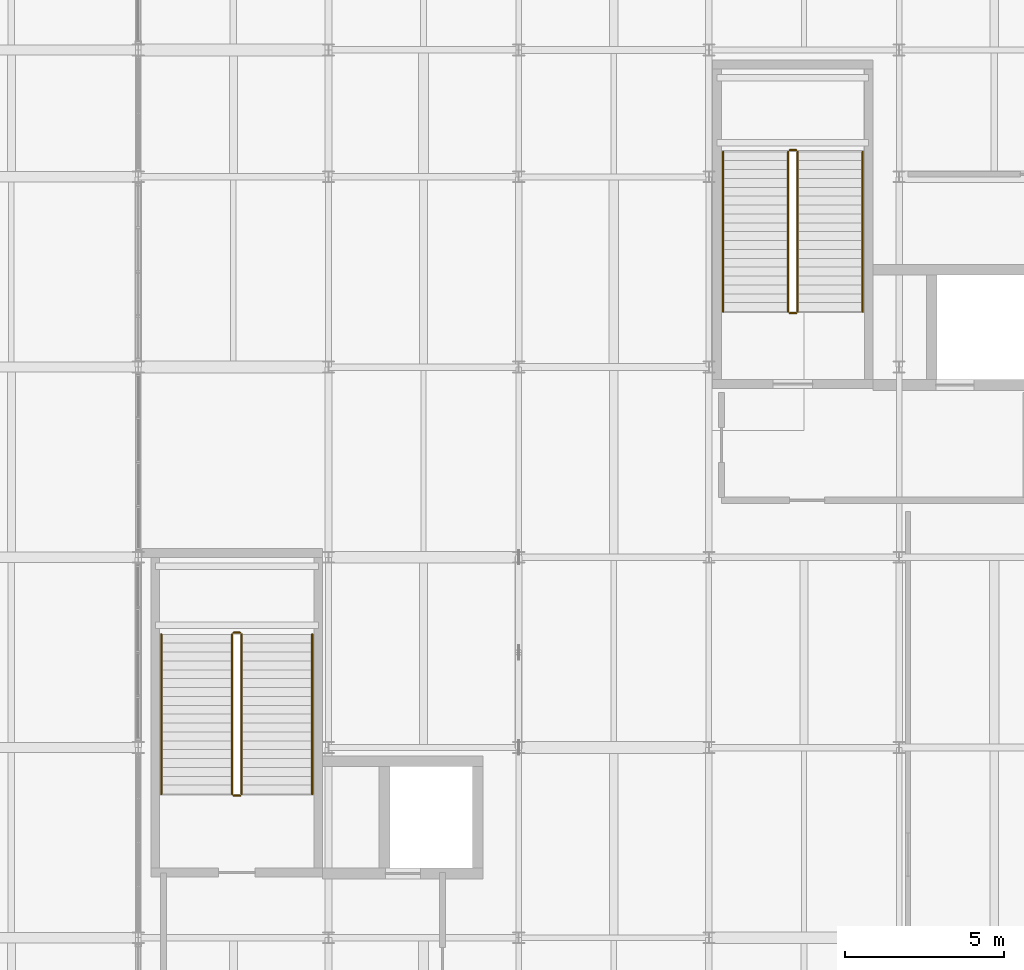
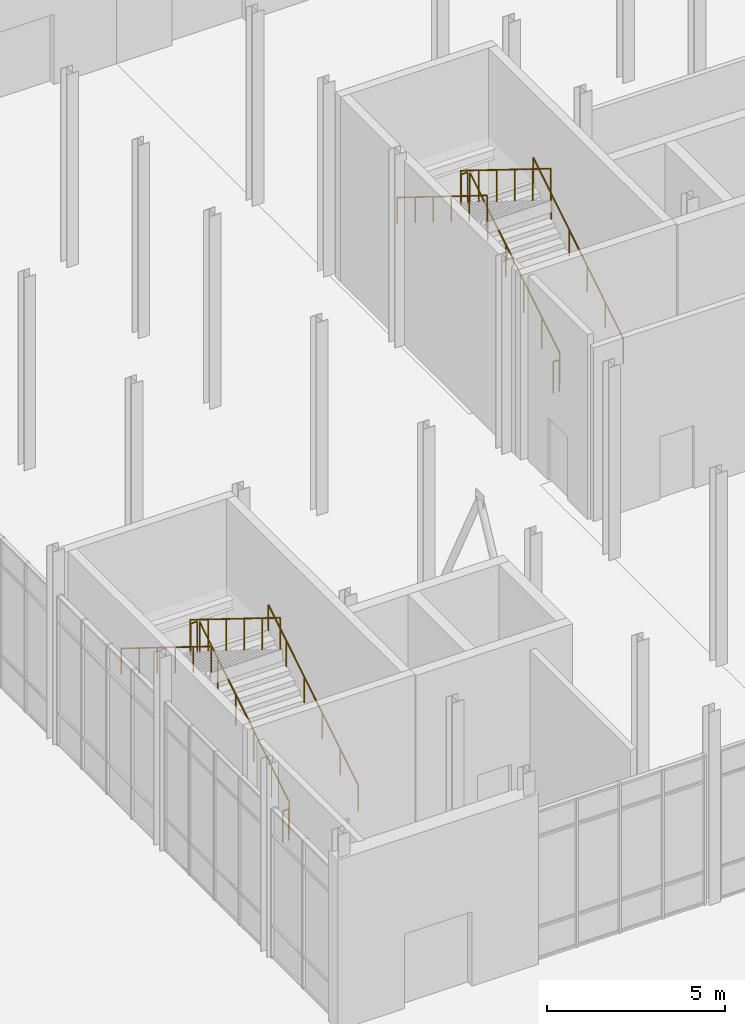
# One storey, part 139 of 140: 12 railings.
"""IFC4 building model written with IfcOpenShell, lengths in metres."""

from ifc_helpers import new_model, si_unit, direction, frame, origin, origin_2d, place, context, subcontext, project, spatial, circle, extrude, material, type_object, element, save


model = new_model("IFC4")

# Units and contexts
model_context = context("Model", 3, precision=1e-05, world=origin(), true_north=direction((0.0, 1.0)))
body_context = subcontext(model_context, "Body", "Model", "MODEL_VIEW")
ifc_project = project(units=[si_unit("LENGTHUNIT", "METRE"), si_unit("AREAUNIT", "SQUARE_METRE"), si_unit("VOLUMEUNIT", "CUBIC_METRE"), si_unit("PLANEANGLEUNIT", "RADIAN"), si_unit("MASSUNIT", "GRAM", prefix="KILO")], contexts=[model_context])

# Site, building, storey
site_placement = place(None, origin())
site = spatial("IfcSite", under=ifc_project, at=site_placement, CompositionType="ELEMENT")
building_placement = place(site_placement, origin())
building = spatial("IfcBuilding", under=site, at=building_placement, Name="Verrall Gate Interchange", CompositionType="ELEMENT")
storey_placement = place(building_placement, origin())
storey = spatial("IfcBuildingStorey", under=building, at=storey_placement, Name="L01", CompositionType="ELEMENT", Elevation=0.0)

# Railings
ifc_material_1 = material(Name="Brushed Stainless-Steel Guardrail and Handrail System", Category="steel")
railing_type_1 = type_object("IfcRailingType", Name="GR-02 Interior Atrium and Stair Guardrail 1100", PredefinedType="GUARDRAIL", material=ifc_material_1)
railing_1_placement = place(storey_placement, frame((135.260009765625, 20.530029296875, 0.173583984375)))
element("IfcRailing", 1, at=railing_1_placement, inside=storey, type_object=railing_type_1, Name="L01 ST-08 stair guard 1", PredefinedType="GUARDRAIL", context=body_context, shape_type="SweptSolid", body=[
    extrude(circle(Radius=0.02392578125, at=origin_2d()), frame((0.0, 0.0, 1.076171875), z_axis=(0.0, 0.849778785312, 0.527139465448), x_axis=(-1.0, 0.0, 0.0)), (0.0, 0.0, 1.0), 5.930908203125),
    extrude(circle(Radius=0.02099609375, at=origin_2d()), origin(), (0.0, 0.0, 1.0), 1.052001953125),
    extrude(circle(Radius=0.02099609375, at=origin_2d()), frame((0.0, 1.008056640625, 0.625244140625)), (0.0, 0.0, 1.0), 1.052001953125),
    extrude(circle(Radius=0.02099609375, at=origin_2d()), frame((0.0, 2.01611328125, 1.25048828125)), (0.0, 0.0, 1.0), 1.052001953125),
    extrude(circle(Radius=0.02099609375, at=origin_2d()), frame((0.0, 3.02392578125, 1.8759765625)), (0.0, 0.0, 1.0), 1.052001953125),
    extrude(circle(Radius=0.02099609375, at=origin_2d()), frame((0.0, 4.031982421875, 2.501220703125)), (0.0, 0.0, 1.0), 1.052001953125),
    extrude(circle(Radius=0.02099609375, at=origin_2d()), frame((0.0, 5.0400390625, 3.12646484375)), (0.0, 0.0, 1.0), 1.052001953125),
])
railing_2_placement = place(storey_placement, frame((135.2099609375, 25.6201171875, 3.300048828125)))
element("IfcRailing", 2, at=railing_2_placement, inside=storey, type_object=railing_type_1, Name="L01 ST-08 stair guard 2", PredefinedType="GUARDRAIL", context=body_context, shape_type="SweptSolid", body=[
    extrude(circle(Radius=0.02392578125, at=origin_2d()), frame((0.0, 0.0, 1.076171875), z_axis=(-1.0, 0.0, 0.0), x_axis=(0.0, -1.0, 0.0)), (0.0, 0.0, 1.0), 0.199951171875),
    extrude(circle(Radius=0.02099609375, at=origin_2d()), origin(), (0.0, 0.0, 1.0), 1.052001953125),
    extrude(circle(Radius=0.02099609375, at=origin_2d()), frame((-0.199951171875, 0.0, 0.0)), (0.0, 0.0, 1.0), 1.052001953125),
])
railing_3_placement = place(storey_placement, frame((134.9599609375, 25.570068359375, 3.4736328125)))
element("IfcRailing", 3, at=railing_3_placement, inside=storey, type_object=railing_type_1, Name="L01 ST-08 stair guard 3", PredefinedType="GUARDRAIL", context=body_context, shape_type="SweptSolid", body=[
    extrude(circle(Radius=0.02392578125, at=origin_2d()), frame((0.0, 0.0, 1.076171875), z_axis=(0.0, -0.849778785312, 0.527139465448), x_axis=(1.0, 0.0, 0.0)), (0.0, 0.0, 1.0), 5.930908203125),
    extrude(circle(Radius=0.02099609375, at=origin_2d()), origin(), (0.0, 0.0, 1.0), 1.052001953125),
    extrude(circle(Radius=0.02099609375, at=origin_2d()), frame((0.0, -1.008056640625, 0.625244140625)), (0.0, 0.0, 1.0), 1.052001953125),
    extrude(circle(Radius=0.02099609375, at=origin_2d()), frame((0.0, -2.01611328125, 1.25048828125)), (0.0, 0.0, 1.0), 1.052001953125),
    extrude(circle(Radius=0.02099609375, at=origin_2d()), frame((0.0, -3.02392578125, 1.8759765625)), (0.0, 0.0, 1.0), 1.052001953125),
    extrude(circle(Radius=0.02099609375, at=origin_2d()), frame((0.0, -4.031982421875, 2.501220703125)), (0.0, 0.0, 1.0), 1.052001953125),
    extrude(circle(Radius=0.02099609375, at=origin_2d()), frame((0.0, -5.0400390625, 3.12646484375)), (0.0, 0.0, 1.0), 1.052001953125),
])
railing_4_placement = place(storey_placement, frame((135.2099609375, 20.47998046875, 0.0)))
element("IfcRailing", 4, at=railing_4_placement, inside=storey, type_object=railing_type_1, Name="L01 ST-08 stair guard 4", PredefinedType="GUARDRAIL", context=body_context, shape_type="SweptSolid", body=[
    extrude(circle(Radius=0.02392578125, at=origin_2d()), frame((0.0, 0.0, 1.076171875), z_axis=(-1.0, 0.0, 0.0), x_axis=(0.0, -1.0, 0.0)), (0.0, 0.0, 1.0), 0.199951171875),
    extrude(circle(Radius=0.02099609375, at=origin_2d()), origin(), (0.0, 0.0, 1.0), 1.052001953125),
    extrude(circle(Radius=0.02099609375, at=origin_2d()), frame((-0.199951171875, 0.0, 0.0)), (0.0, 0.0, 1.0), 1.052001953125),
])
railing_5_placement = place(storey_placement, frame((152.800048828125, 35.75, 0.173583984375)))
element("IfcRailing", 5, at=railing_5_placement, inside=storey, type_object=railing_type_1, Name="L01 ST-09 stair guard 1", PredefinedType="GUARDRAIL", context=body_context, shape_type="SweptSolid", body=[
    extrude(circle(Radius=0.02392578125, at=origin_2d()), frame((0.0, 0.0, 1.076171875), z_axis=(0.0, 0.849778785312, 0.527139465448), x_axis=(-1.0, 0.0, 0.0)), (0.0, 0.0, 1.0), 5.930908203125),
    extrude(circle(Radius=0.02099609375, at=origin_2d()), origin(), (0.0, 0.0, 1.0), 1.052001953125),
    extrude(circle(Radius=0.02099609375, at=origin_2d()), frame((0.0, 1.008056640625, 0.625244140625)), (0.0, 0.0, 1.0), 1.052001953125),
    extrude(circle(Radius=0.02099609375, at=origin_2d()), frame((0.0, 2.01611328125, 1.25048828125)), (0.0, 0.0, 1.0), 1.052001953125),
    extrude(circle(Radius=0.02099609375, at=origin_2d()), frame((0.0, 3.02392578125, 1.8759765625)), (0.0, 0.0, 1.0), 1.052001953125),
    extrude(circle(Radius=0.02099609375, at=origin_2d()), frame((0.0, 4.031982421875, 2.501220703125)), (0.0, 0.0, 1.0), 1.052001953125),
    extrude(circle(Radius=0.02099609375, at=origin_2d()), frame((0.0, 5.0400390625, 3.12646484375)), (0.0, 0.0, 1.0), 1.052001953125),
])
railing_6_placement = place(storey_placement, frame((152.75, 40.840087890625, 3.300048828125)))
element("IfcRailing", 6, at=railing_6_placement, inside=storey, type_object=railing_type_1, Name="L01 ST-09 stair guard 2", PredefinedType="GUARDRAIL", context=body_context, shape_type="SweptSolid", body=[
    extrude(circle(Radius=0.02392578125, at=origin_2d()), frame((0.0, 0.0, 1.076171875), z_axis=(-1.0, 0.0, 0.0), x_axis=(0.0, -1.0, 0.0)), (0.0, 0.0, 1.0), 0.199951171875),
    extrude(circle(Radius=0.02099609375, at=origin_2d()), origin(), (0.0, 0.0, 1.0), 1.052001953125),
    extrude(circle(Radius=0.02099609375, at=origin_2d()), frame((-0.199951171875, 0.0, 0.0)), (0.0, 0.0, 1.0), 1.052001953125),
])
railing_7_placement = place(storey_placement, frame((152.5, 40.7900390625, 3.4736328125)))
element("IfcRailing", 7, at=railing_7_placement, inside=storey, type_object=railing_type_1, Name="L01 ST-09 stair guard 3", PredefinedType="GUARDRAIL", context=body_context, shape_type="SweptSolid", body=[
    extrude(circle(Radius=0.02392578125, at=origin_2d()), frame((0.0, 0.0, 1.076171875), z_axis=(0.0, -0.849778785312, 0.527139465448), x_axis=(1.0, 0.0, 0.0)), (0.0, 0.0, 1.0), 5.930908203125),
    extrude(circle(Radius=0.02099609375, at=origin_2d()), origin(), (0.0, 0.0, 1.0), 1.052001953125),
    extrude(circle(Radius=0.02099609375, at=origin_2d()), frame((0.0, -1.008056640625, 0.625244140625)), (0.0, 0.0, 1.0), 1.052001953125),
    extrude(circle(Radius=0.02099609375, at=origin_2d()), frame((0.0, -2.01611328125, 1.25048828125)), (0.0, 0.0, 1.0), 1.052001953125),
    extrude(circle(Radius=0.02099609375, at=origin_2d()), frame((0.0, -3.02392578125, 1.8759765625)), (0.0, 0.0, 1.0), 1.052001953125),
    extrude(circle(Radius=0.02099609375, at=origin_2d()), frame((0.0, -4.031982421875, 2.501220703125)), (0.0, 0.0, 1.0), 1.052001953125),
    extrude(circle(Radius=0.02099609375, at=origin_2d()), frame((0.0, -5.0400390625, 3.12646484375)), (0.0, 0.0, 1.0), 1.052001953125),
])
railing_8_placement = place(storey_placement, frame((152.75, 35.699951171875, 0.0)))
element("IfcRailing", 8, at=railing_8_placement, inside=storey, type_object=railing_type_1, Name="L01 ST-09 stair guard 4", PredefinedType="GUARDRAIL", context=body_context, shape_type="SweptSolid", body=[
    extrude(circle(Radius=0.02392578125, at=origin_2d()), frame((0.0, 0.0, 1.076171875), z_axis=(-1.0, 0.0, 0.0), x_axis=(0.0, -1.0, 0.0)), (0.0, 0.0, 1.0), 0.199951171875),
    extrude(circle(Radius=0.02099609375, at=origin_2d()), origin(), (0.0, 0.0, 1.0), 1.052001953125),
    extrude(circle(Radius=0.02099609375, at=origin_2d()), frame((-0.199951171875, 0.0, 0.0)), (0.0, 0.0, 1.0), 1.052001953125),
])
ifc_material_2 = material(Name="Brushed Stainless-Steel Guardrail and Handrail System", Category="steel")
railing_type_2 = type_object("IfcRailingType", Name="HR-01 Stair and Ramp Pitch-Line Handrail 920", PredefinedType="HANDRAIL", material=ifc_material_2)
railing_9_placement = place(storey_placement, frame((137.489990234375, 20.530029296875, 0.173583984375)))
element("IfcRailing", 9, at=railing_9_placement, inside=storey, type_object=railing_type_2, Name="L01 ST-08 stair handrail 1", PredefinedType="HANDRAIL", context=body_context, shape_type="SweptSolid", body=[
    extrude(circle(Radius=0.02392578125, at=origin_2d()), frame((0.0, 0.0, 0.8759765625), z_axis=(0.0, 0.849778785312, 0.527139465448), x_axis=(-1.0, 0.0, 0.0)), (0.0, 0.0, 1.0), 5.930908203125),
    extrude(circle(Radius=0.02099609375, at=origin_2d()), origin(), (0.0, 0.0, 1.0), 0.851806640625),
    extrude(circle(Radius=0.02099609375, at=origin_2d()), frame((0.0, 1.008056640625, 0.625244140625)), (0.0, 0.0, 1.0), 0.851806640625),
    extrude(circle(Radius=0.02099609375, at=origin_2d()), frame((0.0, 2.01611328125, 1.25048828125)), (0.0, 0.0, 1.0), 0.851806640625),
    extrude(circle(Radius=0.02099609375, at=origin_2d()), frame((0.0, 3.02392578125, 1.8759765625)), (0.0, 0.0, 1.0), 0.851806640625),
    extrude(circle(Radius=0.02099609375, at=origin_2d()), frame((0.0, 4.031982421875, 2.501220703125)), (0.0, 0.0, 1.0), 0.851806640625),
    extrude(circle(Radius=0.02099609375, at=origin_2d()), frame((0.0, 5.0400390625, 3.12646484375)), (0.0, 0.0, 1.0), 0.851806640625),
])
railing_10_placement = place(storey_placement, frame((132.72998046875, 25.570068359375, 3.4736328125)))
element("IfcRailing", 10, at=railing_10_placement, inside=storey, type_object=railing_type_2, Name="L01 ST-08 stair handrail 2", PredefinedType="HANDRAIL", context=body_context, shape_type="SweptSolid", body=[
    extrude(circle(Radius=0.02392578125, at=origin_2d()), frame((0.0, 0.0, 0.8759765625), z_axis=(0.0, -0.849778785312, 0.527139465448), x_axis=(1.0, 0.0, 0.0)), (0.0, 0.0, 1.0), 5.930908203125),
    extrude(circle(Radius=0.02099609375, at=origin_2d()), origin(), (0.0, 0.0, 1.0), 0.851806640625),
    extrude(circle(Radius=0.02099609375, at=origin_2d()), frame((0.0, -1.008056640625, 0.625244140625)), (0.0, 0.0, 1.0), 0.851806640625),
    extrude(circle(Radius=0.02099609375, at=origin_2d()), frame((0.0, -2.01611328125, 1.25048828125)), (0.0, 0.0, 1.0), 0.851806640625),
    extrude(circle(Radius=0.02099609375, at=origin_2d()), frame((0.0, -3.02392578125, 1.8759765625)), (0.0, 0.0, 1.0), 0.851806640625),
    extrude(circle(Radius=0.02099609375, at=origin_2d()), frame((0.0, -4.031982421875, 2.501220703125)), (0.0, 0.0, 1.0), 0.851806640625),
    extrude(circle(Radius=0.02099609375, at=origin_2d()), frame((0.0, -5.0400390625, 3.12646484375)), (0.0, 0.0, 1.0), 0.851806640625),
])
railing_11_placement = place(storey_placement, frame((154.85009765625, 35.75, 0.173583984375)))
element("IfcRailing", 11, at=railing_11_placement, inside=storey, type_object=railing_type_2, Name="L01 ST-09 stair handrail 1", PredefinedType="HANDRAIL", context=body_context, shape_type="SweptSolid", body=[
    extrude(circle(Radius=0.02392578125, at=origin_2d()), frame((0.0, 0.0, 0.8759765625), z_axis=(0.0, 0.849778785312, 0.527139465448), x_axis=(-1.0, 0.0, 0.0)), (0.0, 0.0, 1.0), 5.930908203125),
    extrude(circle(Radius=0.02099609375, at=origin_2d()), origin(), (0.0, 0.0, 1.0), 0.851806640625),
    extrude(circle(Radius=0.02099609375, at=origin_2d()), frame((0.0, 1.008056640625, 0.625244140625)), (0.0, 0.0, 1.0), 0.851806640625),
    extrude(circle(Radius=0.02099609375, at=origin_2d()), frame((0.0, 2.01611328125, 1.25048828125)), (0.0, 0.0, 1.0), 0.851806640625),
    extrude(circle(Radius=0.02099609375, at=origin_2d()), frame((0.0, 3.02392578125, 1.8759765625)), (0.0, 0.0, 1.0), 0.851806640625),
    extrude(circle(Radius=0.02099609375, at=origin_2d()), frame((0.0, 4.031982421875, 2.501220703125)), (0.0, 0.0, 1.0), 0.851806640625),
    extrude(circle(Radius=0.02099609375, at=origin_2d()), frame((0.0, 5.0400390625, 3.12646484375)), (0.0, 0.0, 1.0), 0.851806640625),
])
railing_12_placement = place(storey_placement, frame((150.449951171875, 40.7900390625, 3.4736328125)))
element("IfcRailing", 12, at=railing_12_placement, inside=storey, type_object=railing_type_2, Name="L01 ST-09 stair handrail 2", PredefinedType="HANDRAIL", context=body_context, shape_type="SweptSolid", body=[
    extrude(circle(Radius=0.02392578125, at=origin_2d()), frame((0.0, 0.0, 0.8759765625), z_axis=(0.0, -0.849778785312, 0.527139465448), x_axis=(1.0, 0.0, 0.0)), (0.0, 0.0, 1.0), 5.930908203125),
    extrude(circle(Radius=0.02099609375, at=origin_2d()), origin(), (0.0, 0.0, 1.0), 0.851806640625),
    extrude(circle(Radius=0.02099609375, at=origin_2d()), frame((0.0, -1.008056640625, 0.625244140625)), (0.0, 0.0, 1.0), 0.851806640625),
    extrude(circle(Radius=0.02099609375, at=origin_2d()), frame((0.0, -2.01611328125, 1.25048828125)), (0.0, 0.0, 1.0), 0.851806640625),
    extrude(circle(Radius=0.02099609375, at=origin_2d()), frame((0.0, -3.02392578125, 1.8759765625)), (0.0, 0.0, 1.0), 0.851806640625),
    extrude(circle(Radius=0.02099609375, at=origin_2d()), frame((0.0, -4.031982421875, 2.501220703125)), (0.0, 0.0, 1.0), 0.851806640625),
    extrude(circle(Radius=0.02099609375, at=origin_2d()), frame((0.0, -5.0400390625, 3.12646484375)), (0.0, 0.0, 1.0), 0.851806640625),
])

save(model, "model.ifc")
